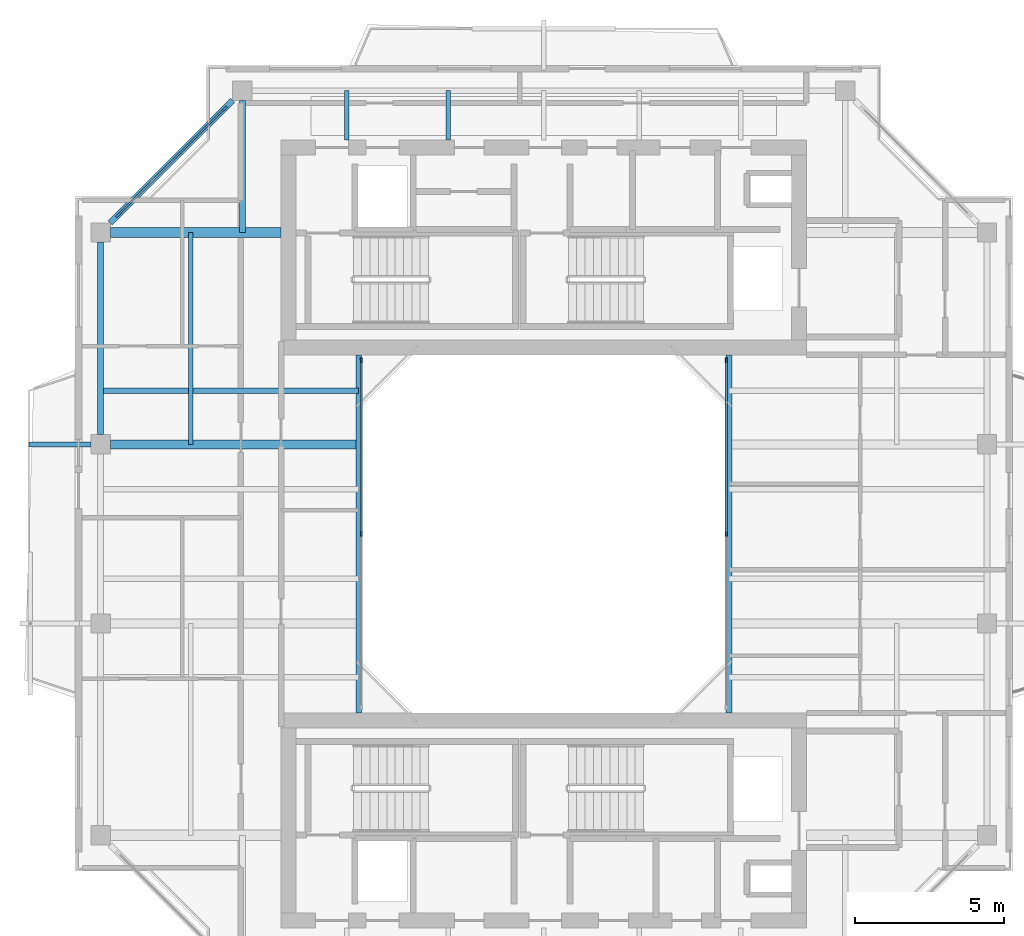
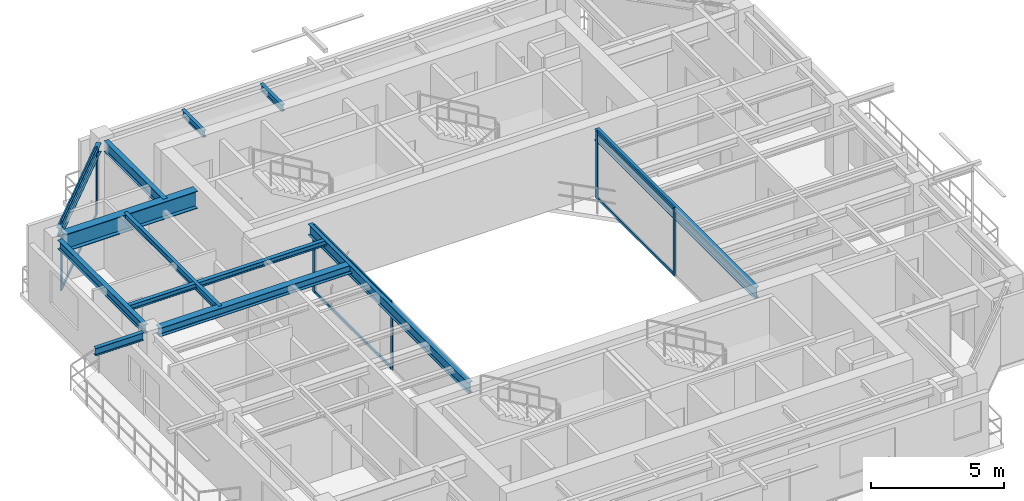
# One storey, part 5 of 15: 12 beams, 12 members, 3 elements without a shape of their own.
"""IFC4 building model written with IfcOpenShell, lengths in metres."""

from ifc_helpers import new_model, si_unit, direction, frame, origin, origin_2d, place, context, subcontext, project, spatial, rectangle, i_section, extrude, source, transform, mapped, material, layer, layer_set, material_profile, profile_set, type_object, element, aggregate, save


model = new_model("IFC4")

# Units and contexts
model_context = context("Model", 3, precision=1e-05, world=origin(), true_north=direction((0.0, 1.0)))
body_context = subcontext(model_context, "Body", "Model", "MODEL_VIEW")
ifc_project = project(units=[si_unit("LENGTHUNIT", "METRE"), si_unit("AREAUNIT", "SQUARE_METRE"), si_unit("VOLUMEUNIT", "CUBIC_METRE"), si_unit("PLANEANGLEUNIT", "RADIAN"), si_unit("MASSUNIT", "GRAM", prefix="KILO"), si_unit("THERMODYNAMICTEMPERATUREUNIT", "KELVIN"), si_unit("POWERUNIT", "WATT")], contexts=[model_context])

# Site, building, storey
site_placement = place(None, origin())
site = spatial("IfcSite", under=ifc_project, at=site_placement, CompositionType="ELEMENT")
building_placement = place(site_placement, origin())
building = spatial("IfcBuilding", under=site, at=building_placement, Name="Qiaomeng Ring Towers", CompositionType="ELEMENT")
storey_placement = place(building_placement, frame((0.0, 0.0, 250.25)))
storey = spatial("IfcBuildingStorey", under=building, at=storey_placement, Name="L73", CompositionType="ELEMENT", Elevation=250.25)

# Beams
ifc_material_1 = material(Name="Steel Q355B", Category="steel")
ifc_material_profile_1 = material_profile(ifc_material_1, i_section(OverallWidth=0.199951171875, OverallDepth=0.5, WebThickness=0.010009765625, FlangeThickness=0.01611328125, FilletRadius=0.02001953125, at=origin_2d()), Name="HN 500x200x10x16")
ifc_profile_set_1 = profile_set([ifc_material_profile_1], Name="Steel Q355B")
beam_type_1 = type_object("IfcBeamType", Name="STR-BM-HN500", PredefinedType="BEAM", material=ifc_profile_set_1)
shared_shape_1 = source(origin(), body_context, "Body", "SweptSolid", [
    extrude(i_section(OverallWidth=0.199951171875, OverallDepth=0.5, WebThickness=0.010009765625, FlangeThickness=0.01611328125, FilletRadius=0.02001953125, at=origin_2d()), origin(), (0.0, 0.0, 1.0), 12.0),
])
for number, where, z_axis, x_axis, name in (
    (1, (12.800048828125, 17.0, 2.820068359375), (0.0, 1.0, 0.0), (-1.0, 0.0, 0.0), "L73 beam STR-BM-L73-WELL-W"),
    (2, (25.199951171875, 17.0, 2.820068359375), (0.0, 1.0, 0.0), (-1.0, 0.0, 0.0), "L73 beam STR-BM-L73-WELL-E"),
):
    element("IfcBeam", number, at=place(storey_placement, frame(where, z_axis=z_axis, x_axis=x_axis)), inside=storey, type_object=beam_type_1, Name=name, PredefinedType="BEAM", context=body_context, shape_type="MappedRepresentation", body=[
        mapped(shared_shape_1, transform((0.0, 0.0, 0.0), x_axis=(1.0, 0.0, 0.0), y_axis=(0.0, 1.0, 0.0), z_axis=(0.0, 0.0, 1.0), scale=1.0)),
    ])
ifc_material_profile_2 = material_profile(ifc_material_1, i_section(OverallWidth=0.198974609375, OverallDepth=0.39599609375, WebThickness=0.007080078125, FlangeThickness=0.010986328125, FilletRadius=0.01611328125, at=origin_2d()), Name="HN 396x199x7x11")
ifc_profile_set_2 = profile_set([ifc_material_profile_2], Name="Steel Q355B")
beam_type_2 = type_object("IfcBeamType", Name="STR-BM-HN396", PredefinedType="SPANDREL", material=ifc_profile_set_2)
shared_shape_2 = source(origin(), body_context, "Body", "SweptSolid", [
    extrude(i_section(OverallWidth=0.198974609375, OverallDepth=0.39599609375, WebThickness=0.007080078125, FlangeThickness=0.010986328125, FilletRadius=0.01611328125, at=origin_2d()), origin(), (0.0, 0.0, 1.0), 5.800048828125),
])
beam_1_placement = place(storey_placement, frame((8.57568359375, 37.525634765625, 2.8720703125), z_axis=(-0.707106781187, -0.707106781187, 0.0), x_axis=(0.707106781187, -0.707106781187, 0.0)))
element("IfcBeam", 3, at=beam_1_placement, inside=storey, type_object=beam_type_2, Name="L73 beam STR-SP-L73-T1-N1-W4", PredefinedType="SPANDREL", context=body_context, shape_type="MappedRepresentation", body=[
    mapped(shared_shape_2, transform((0.0, 0.0, 0.0), x_axis=(1.0, 0.0, 0.0), y_axis=(0.0, 1.0, 0.0), z_axis=(0.0, 0.0, 1.0), scale=1.0)),
])
shared_shape_3 = source(origin(), body_context, "Body", "SweptSolid", [
    extrude(i_section(OverallWidth=0.198974609375, OverallDepth=0.39599609375, WebThickness=0.007080078125, FlangeThickness=0.010986328125, FilletRadius=0.01611328125, at=origin_2d()), origin(), (0.0, 0.0, 1.0), 6.451904296875),
])
beam_2_placement = place(storey_placement, frame((4.14990234375, 32.77587890625, 2.8720703125), z_axis=(0.0, -1.0, 0.0), x_axis=(1.0, 0.0, 0.0)))
element("IfcBeam", 4, at=beam_2_placement, inside=storey, type_object=beam_type_2, Name="L73 beam STR-SP-L73-T1-W4-W3", PredefinedType="SPANDREL", context=body_context, shape_type="MappedRepresentation", body=[
    mapped(shared_shape_3, transform((0.0, 0.0, 0.0), x_axis=(1.0, 0.0, 0.0), y_axis=(0.0, 1.0, 0.0), z_axis=(0.0, 0.0, 1.0), scale=1.0)),
])
ifc_material_2 = material(Name="Steel Q390GJC", Category="steel")
ifc_material_profile_3 = material_profile(ifc_material_2, i_section(OverallWidth=0.35009765625, OverallDepth=0.800048828125, WebThickness=0.01611328125, FlangeThickness=0.028076171875, at=origin_2d()), Name="WH 800x350x16x28")
ifc_profile_set_3 = profile_set([ifc_material_profile_3], Name="Steel Q390GJC")
beam_type_3 = type_object("IfcBeamType", Name="STR-BM-WH800", PredefinedType="BEAM", material=ifc_profile_set_3)
shared_shape_4 = source(origin(), body_context, "Body", "SweptSolid", [
    extrude(i_section(OverallWidth=0.35009765625, OverallDepth=0.800048828125, WebThickness=0.01611328125, FlangeThickness=0.028076171875, at=origin_2d()), origin(), (0.0, 0.0, 1.0), 5.725830078125),
])
beam_3_placement = place(storey_placement, frame((4.47412109375, 33.10009765625, 2.669921875), z_axis=(1.0, 0.0, 0.0), x_axis=(0.0, 1.0, 0.0)))
element("IfcBeam", 5, at=beam_3_placement, inside=storey, type_object=beam_type_3, Name="L73 beam STR-BM-L73-T1-RAD-W4", PredefinedType="BEAM", context=body_context, shape_type="MappedRepresentation", body=[
    mapped(shared_shape_4, transform((0.0, 0.0, 0.0), x_axis=(1.0, 0.0, 0.0), y_axis=(0.0, 1.0, 0.0), z_axis=(0.0, 0.0, 1.0), scale=1.0)),
])
ifc_material_profile_4 = material_profile(ifc_material_1, i_section(OverallWidth=0.198974609375, OverallDepth=0.49609375, WebThickness=0.009033203125, FlangeThickness=0.013916015625, FilletRadius=0.01806640625, at=origin_2d()), Name="HN 496x199x9x14")
ifc_profile_set_4 = profile_set([ifc_material_profile_4], Name="Steel Q355B")
beam_type_4 = type_object("IfcBeamType", Name="STR-BM-HN496", PredefinedType="BEAM", material=ifc_profile_set_4)
shared_shape_5 = source(origin(), body_context, "Body", "SweptSolid", [
    extrude(i_section(OverallWidth=0.198974609375, OverallDepth=0.49609375, WebThickness=0.009033203125, FlangeThickness=0.013916015625, FilletRadius=0.01806640625, at=origin_2d()), origin(), (0.0, 0.0, 1.0), 4.42578125),
])
beam_4_placement = place(storey_placement, frame((8.89990234375, 37.52587890625, 2.822021484375), z_axis=(0.0, -1.0, 0.0), x_axis=(1.0, 0.0, 0.0)))
element("IfcBeam", 6, at=beam_4_placement, inside=storey, type_object=beam_type_4, Name="L73 beam STR-BM-L73-T1-RAD-N1", PredefinedType="BEAM", context=body_context, shape_type="MappedRepresentation", body=[
    mapped(shared_shape_5, transform((0.0, 0.0, 0.0), x_axis=(1.0, 0.0, 0.0), y_axis=(0.0, 1.0, 0.0), z_axis=(0.0, 0.0, 1.0), scale=1.0)),
])
ifc_material_profile_5 = material_profile(ifc_material_1, i_section(OverallWidth=0.300048828125, OverallDepth=0.389892578125, WebThickness=0.010009765625, FlangeThickness=0.01611328125, FilletRadius=0.02197265625, at=origin_2d()), Name="HM 390x300x10x16")
ifc_profile_set_5 = profile_set([ifc_material_profile_5], Name="Steel Q355B")
beam_type_5 = type_object("IfcBeamType", Name="STR-BM-HM390", PredefinedType="BEAM", material=ifc_profile_set_5)
shared_shape_6 = source(origin(), body_context, "Body", "SweptSolid", [
    extrude(i_section(OverallWidth=0.300048828125, OverallDepth=0.389892578125, WebThickness=0.010009765625, FlangeThickness=0.01611328125, FilletRadius=0.02197265625, at=origin_2d()), origin(), (0.0, 0.0, 1.0), 8.325927734375),
])
beam_5_placement = place(storey_placement, frame((4.47412109375, 26.0, 2.875), z_axis=(1.0, 0.0, 0.0), x_axis=(0.0, 1.0, 0.0)))
element("IfcBeam", 7, at=beam_5_placement, inside=storey, type_object=beam_type_5, Name="L73 beam STR-BM-L73-T1-RAD-W3", PredefinedType="BEAM", context=body_context, shape_type="MappedRepresentation", body=[
    mapped(shared_shape_6, transform((0.0, 0.0, 0.0), x_axis=(1.0, 0.0, 0.0), y_axis=(0.0, 1.0, 0.0), z_axis=(0.0, 0.0, 1.0), scale=1.0)),
])
ifc_material_profile_6 = material_profile(ifc_material_1, i_section(OverallWidth=0.175048828125, OverallDepth=0.35009765625, WebThickness=0.007080078125, FlangeThickness=0.010986328125, FilletRadius=0.013916015625, at=origin_2d()), Name="HN 350x175x7x11")
ifc_profile_set_6 = profile_set([ifc_material_profile_6], Name="Steel Q355B")
beam_type_6 = type_object("IfcBeamType", Name="STR-BM-HN350", PredefinedType="JOIST", material=ifc_profile_set_6)
shared_shape_7 = source(origin(), body_context, "Body", "SweptSolid", [
    extrude(i_section(OverallWidth=0.175048828125, OverallDepth=0.35009765625, WebThickness=0.007080078125, FlangeThickness=0.010986328125, FilletRadius=0.013916015625, at=origin_2d()), origin(), (0.0, 0.0, 1.0), 2.075927734375),
])
beam_6_placement = place(storey_placement, frame((1.75, 26.0, 2.89501953125), z_axis=(1.0, 0.0, 0.0), x_axis=(0.0, 1.0, 0.0)))
element("IfcBeam", 8, at=beam_6_placement, inside=storey, type_object=beam_type_6, Name="L73 beam STR-BALBM-L73-W3", PredefinedType="JOIST", context=body_context, shape_type="MappedRepresentation", body=[
    mapped(shared_shape_7, transform((0.0, 0.0, 0.0), x_axis=(1.0, 0.0, 0.0), y_axis=(0.0, 1.0, 0.0), z_axis=(0.0, 0.0, 1.0), scale=1.0)),
])
ifc_material_profile_7 = material_profile(ifc_material_1, i_section(OverallWidth=0.14990234375, OverallDepth=0.300048828125, WebThickness=0.006591796875, FlangeThickness=0.009033203125, FilletRadius=0.012939453125, at=origin_2d()), Name="HN 300x150x6.5x9")
ifc_profile_set_7 = profile_set([ifc_material_profile_7], Name="Steel Q355B")
beam_type_7 = type_object("IfcBeamType", Name="STR-BM-HN300", PredefinedType="JOIST", material=ifc_profile_set_7)
shared_shape_8 = source(origin(), body_context, "Body", "SweptSolid", [
    extrude(i_section(OverallWidth=0.14990234375, OverallDepth=0.300048828125, WebThickness=0.006591796875, FlangeThickness=0.009033203125, FilletRadius=0.012939453125, at=origin_2d()), origin(), (0.0, 0.0, 1.0), 1.650146484375),
])
for number, where, z_axis, x_axis, name in (
    (9, (12.39990234375, 36.199951171875, 2.919921875), (0.0, 1.0, 0.0), (-1.0, 0.0, 0.0), "L73 beam STR-JST-L73-T1N-1"),
    (10, (15.800048828125, 36.199951171875, 2.919921875), (0.0, 1.0, 0.0), (-1.0, 0.0, 0.0), "L73 beam STR-JST-L73-T1N-2"),
):
    element("IfcBeam", number, at=place(storey_placement, frame(where, z_axis=z_axis, x_axis=x_axis)), inside=storey, type_object=beam_type_7, Name=name, PredefinedType="JOIST", context=body_context, shape_type="MappedRepresentation", body=[
        mapped(shared_shape_8, transform((0.0, 0.0, 0.0), x_axis=(1.0, 0.0, 0.0), y_axis=(0.0, 1.0, 0.0), z_axis=(0.0, 0.0, 1.0), scale=1.0)),
    ])
ifc_material_profile_8 = material_profile(ifc_material_1, i_section(OverallWidth=0.175048828125, OverallDepth=0.243896484375, WebThickness=0.007080078125, FlangeThickness=0.010986328125, FilletRadius=0.01611328125, at=origin_2d()), Name="HM 244x175x7x11")
ifc_profile_set_8 = profile_set([ifc_material_profile_8], Name="Steel Q355B")
beam_type_8 = type_object("IfcBeamType", Name="STR-BM-HM244", PredefinedType="JOIST", material=ifc_profile_set_8)
shared_shape_9 = source(origin(), body_context, "Body", "SweptSolid", [
    extrude(i_section(OverallWidth=0.175048828125, OverallDepth=0.243896484375, WebThickness=0.007080078125, FlangeThickness=0.010986328125, FilletRadius=0.01611328125, at=origin_2d()), origin(), (0.0, 0.0, 1.0), 8.650146484375),
])
beam_7_placement = place(storey_placement, frame((4.14990234375, 27.800048828125, 2.947998046875), z_axis=(1.0, 0.0, 0.0), x_axis=(0.0, 1.0, 0.0)))
element("IfcBeam", 11, at=beam_7_placement, inside=storey, type_object=beam_type_8, Name="L73 beam STR-JST-L73-T1W-4", PredefinedType="JOIST", context=body_context, shape_type="MappedRepresentation", body=[
    mapped(shared_shape_9, transform((0.0, 0.0, 0.0), x_axis=(1.0, 0.0, 0.0), y_axis=(0.0, 1.0, 0.0), z_axis=(0.0, 0.0, 1.0), scale=1.0)),
])
shared_shape_10 = source(origin(), body_context, "Body", "SweptSolid", [
    extrude(i_section(OverallWidth=0.14990234375, OverallDepth=0.300048828125, WebThickness=0.006591796875, FlangeThickness=0.009033203125, FilletRadius=0.012939453125, at=origin_2d()), origin(), (0.0, 0.0, 1.0), 7.10009765625),
])
beam_8_placement = place(storey_placement, frame((7.175048828125, 26.0, 2.919921875), z_axis=(0.0, 1.0, 0.0), x_axis=(-1.0, 0.0, 0.0)))
element("IfcBeam", 12, at=beam_8_placement, inside=storey, type_object=beam_type_7, Name="L73 beam STR-JST-L73-T1C-WN", PredefinedType="JOIST", context=body_context, shape_type="MappedRepresentation", body=[
    mapped(shared_shape_10, transform((0.0, 0.0, 0.0), x_axis=(1.0, 0.0, 0.0), y_axis=(0.0, 1.0, 0.0), z_axis=(0.0, 0.0, 1.0), scale=1.0)),
])

# Curtain wall, members
ifc_material_3 = material(Name="Fluorocarbon dark-grey aluminium", Category="aluminium")
ifc_layer_1 = layer(ifc_material_3, 0.139892578125, Name="Fluorocarbon dark-grey aluminium")
ifc_layer_set_1 = layer_set([ifc_layer_1], Name="Fluorocarbon dark-grey aluminium")
curtain_wall_type_1 = type_object("IfcCurtainWallType", Name="ARC-CW-4", PredefinedType="NOTDEFINED", material=ifc_layer_set_1)
curtain_wall_1_placement = place(storey_placement, origin())
curtain_wall_1 = element("IfcCurtainWall", 13, at=curtain_wall_1_placement, inside=storey, type_object=curtain_wall_type_1, Name="L73 Curtain Wall CW4", PredefinedType="NOTDEFINED")
ifc_material_profile_9 = material_profile(ifc_material_3, rectangle(XDim=0.06494140625, YDim=0.159912109375, at=origin_2d()), Name="ALU MULL 65x160")
ifc_profile_set_9 = profile_set([ifc_material_profile_9], Name="Fluorocarbon dark-grey aluminium")
member_type_1 = type_object("IfcMemberType", Name="ARC-CWM-140", PredefinedType="MULLION", material=ifc_profile_set_9)
shared_shape_11 = source(origin(), body_context, "Body", "SweptSolid", [
    extrude(rectangle(XDim=0.06494140625, YDim=0.159912109375, at=origin_2d()), origin(), (0.0, 0.0, 1.0), 3.070068359375),
])
member_1_placement = place(storey_placement, frame((12.8798828125, 23.0, 0.0), z_axis=(0.0, 0.0, 1.0), x_axis=(-1.0, 0.0, 0.0)))
member_1 = element("IfcMember", 14, at=member_1_placement, type_object=member_type_1, Name="CW4 mullion 2", PredefinedType="MULLION", context=body_context, shape_type="MappedRepresentation", body=[
    mapped(shared_shape_11, transform((0.0, 0.0, 0.0), x_axis=(1.0, 0.0, 0.0), y_axis=(0.0, 1.0, 0.0), z_axis=(0.0, 0.0, 1.0), scale=1.0)),
])
member_2_placement = place(storey_placement, frame((12.8798828125, 28.8173828125, 0.0), z_axis=(0.0, 0.0, 1.0), x_axis=(-1.0, 0.0, 0.0)))
member_2 = element("IfcMember", 15, at=member_2_placement, type_object=member_type_1, Name="CW4 mullion 3", PredefinedType="MULLION", context=body_context, shape_type="MappedRepresentation", body=[
    mapped(shared_shape_11, transform((0.0, 0.0, 0.0), x_axis=(1.0, 0.0, 0.0), y_axis=(0.0, 1.0, 0.0), z_axis=(0.0, 0.0, 1.0), scale=1.0)),
])

curtain_wall_2_placement = place(storey_placement, origin())
curtain_wall_2 = element("IfcCurtainWall", 16, at=curtain_wall_2_placement, inside=storey, type_object=curtain_wall_type_1, Name="L73 Curtain Wall CW4", PredefinedType="NOTDEFINED")
member_3_placement = place(storey_placement, frame((25.1201171875, 23.0, 0.0), z_axis=(0.0, 0.0, 1.0), x_axis=(-1.0, 0.0, 0.0)))
member_3 = element("IfcMember", 17, at=member_3_placement, type_object=member_type_1, Name="CW4 mullion 2", PredefinedType="MULLION", context=body_context, shape_type="MappedRepresentation", body=[
    mapped(shared_shape_11, transform((0.0, 0.0, 0.0), x_axis=(1.0, 0.0, 0.0), y_axis=(0.0, 1.0, 0.0), z_axis=(0.0, 0.0, 1.0), scale=1.0)),
])
member_4_placement = place(storey_placement, frame((25.1201171875, 28.8173828125, 0.0), z_axis=(0.0, 0.0, 1.0), x_axis=(-1.0, 0.0, 0.0)))
member_4 = element("IfcMember", 18, at=member_4_placement, type_object=member_type_1, Name="CW4 mullion 3", PredefinedType="MULLION", context=body_context, shape_type="MappedRepresentation", body=[
    mapped(shared_shape_11, transform((0.0, 0.0, 0.0), x_axis=(1.0, 0.0, 0.0), y_axis=(0.0, 1.0, 0.0), z_axis=(0.0, 0.0, 1.0), scale=1.0)),
])

# Member
ifc_material_profile_10 = material_profile(ifc_material_3, rectangle(XDim=0.06494140625, YDim=0.1298828125, at=origin_2d()), Name="ALU TRAN 65x130")
ifc_profile_set_10 = profile_set([ifc_material_profile_10], Name="Fluorocarbon dark-grey aluminium")
member_type_2 = type_object("IfcMemberType", Name="ARC-CWT-120", PredefinedType="USERDEFINED", material=ifc_profile_set_10)
shared_shape_12 = source(origin(), body_context, "Body", "SweptSolid", [
    extrude(rectangle(XDim=0.06494140625, YDim=0.1298828125, at=origin_2d()), origin(), (0.0, 0.0, 1.0), 5.75244140625),
])
member_5_placement = place(storey_placement, frame((12.8798828125, 23.032470703125, 0.032470703125), z_axis=(0.0, 1.0, 0.0), x_axis=(-1.0, 0.0, 0.0)))
member_5 = element("IfcMember", 19, at=member_5_placement, type_object=member_type_2, Name="CW4 transom 2.1", ObjectType="TRANSOM", PredefinedType="USERDEFINED", context=body_context, shape_type="MappedRepresentation", body=[
    mapped(shared_shape_12, transform((0.0, 0.0, 0.0), x_axis=(1.0, 0.0, 0.0), y_axis=(0.0, 1.0, 0.0), z_axis=(0.0, 0.0, 1.0), scale=1.0)),
])

member_6_placement = place(storey_placement, frame((12.8798828125, 23.032470703125, 3.03759765625), z_axis=(0.0, 1.0, 0.0), x_axis=(-1.0, 0.0, 0.0)))
member_6 = element("IfcMember", 20, at=member_6_placement, type_object=member_type_2, Name="CW4 transom 2.2", ObjectType="TRANSOM", PredefinedType="USERDEFINED", context=body_context, shape_type="MappedRepresentation", body=[
    mapped(shared_shape_12, transform((0.0, 0.0, 0.0), x_axis=(1.0, 0.0, 0.0), y_axis=(0.0, 1.0, 0.0), z_axis=(0.0, 0.0, 1.0), scale=1.0)),
])

aggregate(curtain_wall_1, [member_1, member_2, member_5, member_6])

member_7_placement = place(storey_placement, frame((25.1201171875, 23.032470703125, 0.032470703125), z_axis=(0.0, 1.0, 0.0), x_axis=(-1.0, 0.0, 0.0)))
member_7 = element("IfcMember", 21, at=member_7_placement, type_object=member_type_2, Name="CW4 transom 2.1", ObjectType="TRANSOM", PredefinedType="USERDEFINED", context=body_context, shape_type="MappedRepresentation", body=[
    mapped(shared_shape_12, transform((0.0, 0.0, 0.0), x_axis=(1.0, 0.0, 0.0), y_axis=(0.0, 1.0, 0.0), z_axis=(0.0, 0.0, 1.0), scale=1.0)),
])

member_8_placement = place(storey_placement, frame((25.1201171875, 23.032470703125, 3.03759765625), z_axis=(0.0, 1.0, 0.0), x_axis=(-1.0, 0.0, 0.0)))
member_8 = element("IfcMember", 22, at=member_8_placement, type_object=member_type_2, Name="CW4 transom 2.2", ObjectType="TRANSOM", PredefinedType="USERDEFINED", context=body_context, shape_type="MappedRepresentation", body=[
    mapped(shared_shape_12, transform((0.0, 0.0, 0.0), x_axis=(1.0, 0.0, 0.0), y_axis=(0.0, 1.0, 0.0), z_axis=(0.0, 0.0, 1.0), scale=1.0)),
])

aggregate(curtain_wall_2, [member_3, member_4, member_7, member_8])

# Curtain wall, members
ifc_layer_2 = layer(ifc_material_3, 0.14990234375, Name="Fluorocarbon dark-grey aluminium")
ifc_layer_set_2 = layer_set([ifc_layer_2], Name="Fluorocarbon dark-grey aluminium")
curtain_wall_type_2 = type_object("IfcCurtainWallType", Name="ARC-CW-3", PredefinedType="NOTDEFINED", material=ifc_layer_set_2)
curtain_wall_3_placement = place(storey_placement, origin())
curtain_wall_3 = element("IfcCurtainWall", 23, at=curtain_wall_3_placement, inside=storey, type_object=curtain_wall_type_2, Name="L73 Curtain Wall CW3", PredefinedType="NOTDEFINED")
ifc_material_profile_11 = material_profile(ifc_material_3, rectangle(XDim=0.070068359375, YDim=0.179931640625, at=origin_2d()), Name="ALU MULL 70x180")
ifc_profile_set_11 = profile_set([ifc_material_profile_11], Name="Fluorocarbon dark-grey aluminium")
member_type_3 = type_object("IfcMemberType", Name="ARC-CWM-160", PredefinedType="MULLION", material=ifc_profile_set_11)
shared_shape_13 = source(origin(), body_context, "Body", "SweptSolid", [
    extrude(rectangle(XDim=0.070068359375, YDim=0.179931640625, at=origin_2d()), origin(), (0.0, 0.0, 1.0), 3.070068359375),
])
member_9_placement = place(storey_placement, frame((8.310302734375, 37.26025390625, 0.0), z_axis=(0.0, 0.0, 1.0), x_axis=(0.707106781187, -0.707106781187, 0.0)))
member_9 = element("IfcMember", 24, at=member_9_placement, type_object=member_type_3, Name="CW3 mullion 1", PredefinedType="MULLION", context=body_context, shape_type="MappedRepresentation", body=[
    mapped(shared_shape_13, transform((0.0, 0.0, 0.0), x_axis=(1.0, 0.0, 0.0), y_axis=(0.0, 1.0, 0.0), z_axis=(0.0, 0.0, 1.0), scale=1.0)),
])
member_10_placement = place(storey_placement, frame((4.73974609375, 33.689697265625, 0.0), z_axis=(0.0, 0.0, 1.0), x_axis=(0.707106781187, -0.707106781187, 0.0)))
member_10 = element("IfcMember", 25, at=member_10_placement, type_object=member_type_3, Name="CW3 mullion 2", PredefinedType="MULLION", context=body_context, shape_type="MappedRepresentation", body=[
    mapped(shared_shape_13, transform((0.0, 0.0, 0.0), x_axis=(1.0, 0.0, 0.0), y_axis=(0.0, 1.0, 0.0), z_axis=(0.0, 0.0, 1.0), scale=1.0)),
])
shared_shape_14 = source(origin(), body_context, "Body", "SweptSolid", [
    extrude(rectangle(XDim=0.06494140625, YDim=0.1298828125, at=origin_2d()), origin(), (0.0, 0.0, 1.0), 4.9794921875),
])
member_11_placement = place(storey_placement, frame((8.285400390625, 37.235595703125, 0.032470703125), z_axis=(-0.707106781187, -0.707106781187, 0.0), x_axis=(0.707106781187, -0.707106781187, 0.0)))
member_11 = element("IfcMember", 26, at=member_11_placement, type_object=member_type_2, Name="CW3 transom 1.1", ObjectType="TRANSOM", PredefinedType="USERDEFINED", context=body_context, shape_type="MappedRepresentation", body=[
    mapped(shared_shape_14, transform((0.0, 0.0, 0.0), x_axis=(1.0, 0.0, 0.0), y_axis=(0.0, 1.0, 0.0), z_axis=(0.0, 0.0, 1.0), scale=1.0)),
])
member_12_placement = place(storey_placement, frame((8.285400390625, 37.235595703125, 3.03759765625), z_axis=(-0.707106781187, -0.707106781187, 0.0), x_axis=(0.707106781187, -0.707106781187, 0.0)))
member_12 = element("IfcMember", 27, at=member_12_placement, type_object=member_type_2, Name="CW3 transom 1.2", ObjectType="TRANSOM", PredefinedType="USERDEFINED", context=body_context, shape_type="MappedRepresentation", body=[
    mapped(shared_shape_14, transform((0.0, 0.0, 0.0), x_axis=(1.0, 0.0, 0.0), y_axis=(0.0, 1.0, 0.0), z_axis=(0.0, 0.0, 1.0), scale=1.0)),
])
aggregate(curtain_wall_3, [member_9, member_10, member_11, member_12])

save(model, "model.ifc")
